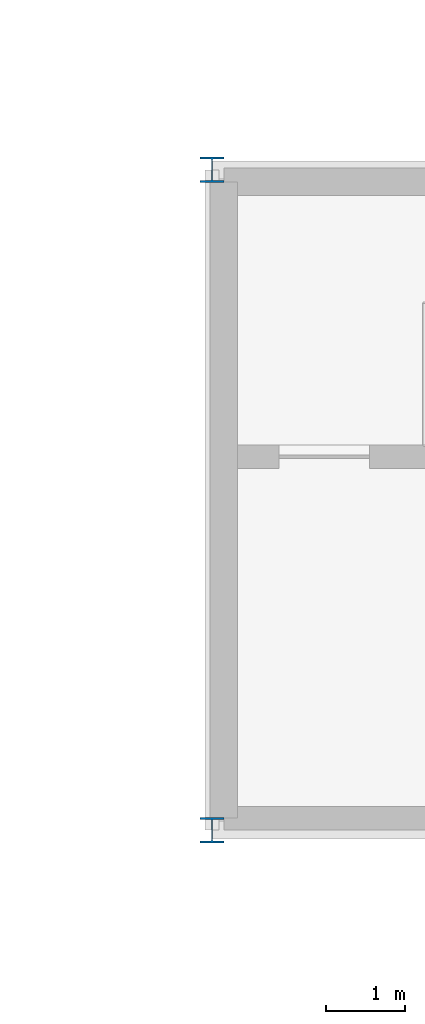
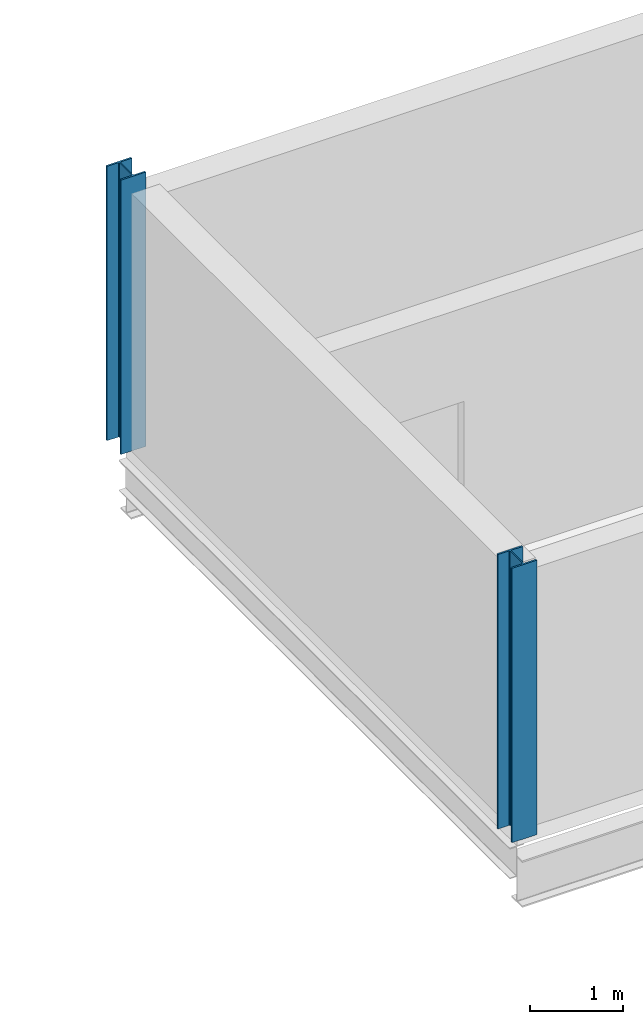
# One storey, part 7 of 74: 2 columns.
"""IFC4 building model written with IfcOpenShell, lengths in metres."""

from ifc_helpers import new_model, si_unit, direction, frame, origin, origin_2d, place, context, subcontext, project, spatial, i_section, extrude, material, material_profile, profile_set, type_object, element, save


model = new_model("IFC4")

# Units and contexts
model_context = context("Model", 3, precision=1e-05, world=origin(), true_north=direction((0.0, 1.0)))
body_context = subcontext(model_context, "Body", "Model", "MODEL_VIEW")
ifc_project = project(units=[si_unit("LENGTHUNIT", "METRE"), si_unit("AREAUNIT", "SQUARE_METRE"), si_unit("VOLUMEUNIT", "CUBIC_METRE"), si_unit("PLANEANGLEUNIT", "RADIAN"), si_unit("MASSUNIT", "GRAM", prefix="KILO"), si_unit("THERMODYNAMICTEMPERATUREUNIT", "KELVIN"), si_unit("POWERUNIT", "WATT")], contexts=[model_context])

# Site, building, storey
site_placement = place(None, origin())
site = spatial("IfcSite", under=ifc_project, at=site_placement, CompositionType="ELEMENT")
building_placement = place(site_placement, origin())
building = spatial("IfcBuilding", under=site, at=building_placement, Name="Tembeka Court Mobility Hub", CompositionType="ELEMENT")
storey_placement = place(building_placement, frame((0.0, 0.0, 12.60009765625)))
storey = spatial("IfcBuildingStorey", under=building, at=storey_placement, Name="L03", CompositionType="ELEMENT", Elevation=12.60009765625)

# Columns
ifc_material = material(Name="Steel S355", Category="steel")
ifc_material_profile = material_profile(ifc_material, i_section(OverallWidth=0.30908203125, OverallDepth=0.321044921875, WebThickness=0.013916015625, FlangeThickness=0.021728515625, FilletRadius=0.01513671875, at=origin_2d()), Name="UKC 305x305x137")
ifc_profile_set = profile_set([ifc_material_profile], Name="Steel S355")
column_type = type_object("IfcColumnType", Name="COL-C04", PredefinedType="COLUMN", material=ifc_profile_set)
for number, where, z_axis, x_axis, name in (
    (1, (116.39990234375, 38.39990234375, 0.0), (0.0, 0.0, 1.0), (1.0, 0.0, 0.0), "Column C04 (L03-159)"),
    (2, (116.39990234375, 46.800048828125, 0.0), (0.0, 0.0, 1.0), (1.0, 0.0, 0.0), "Column C04 (L03-160)"),
):
    element("IfcColumn", number, at=place(storey_placement, frame(where, z_axis=z_axis, x_axis=x_axis)), inside=storey, type_object=column_type, Name=name, PredefinedType="COLUMN", context=body_context, shape_type="SweptSolid", body=[
        extrude(i_section(OverallWidth=0.30908203125, OverallDepth=0.321044921875, WebThickness=0.013916015625, FlangeThickness=0.021728515625, FilletRadius=0.01513671875, at=origin_2d()), origin(), (0.0, 0.0, 1.0), 3.599853515625),
    ])

save(model, "model.ifc")
